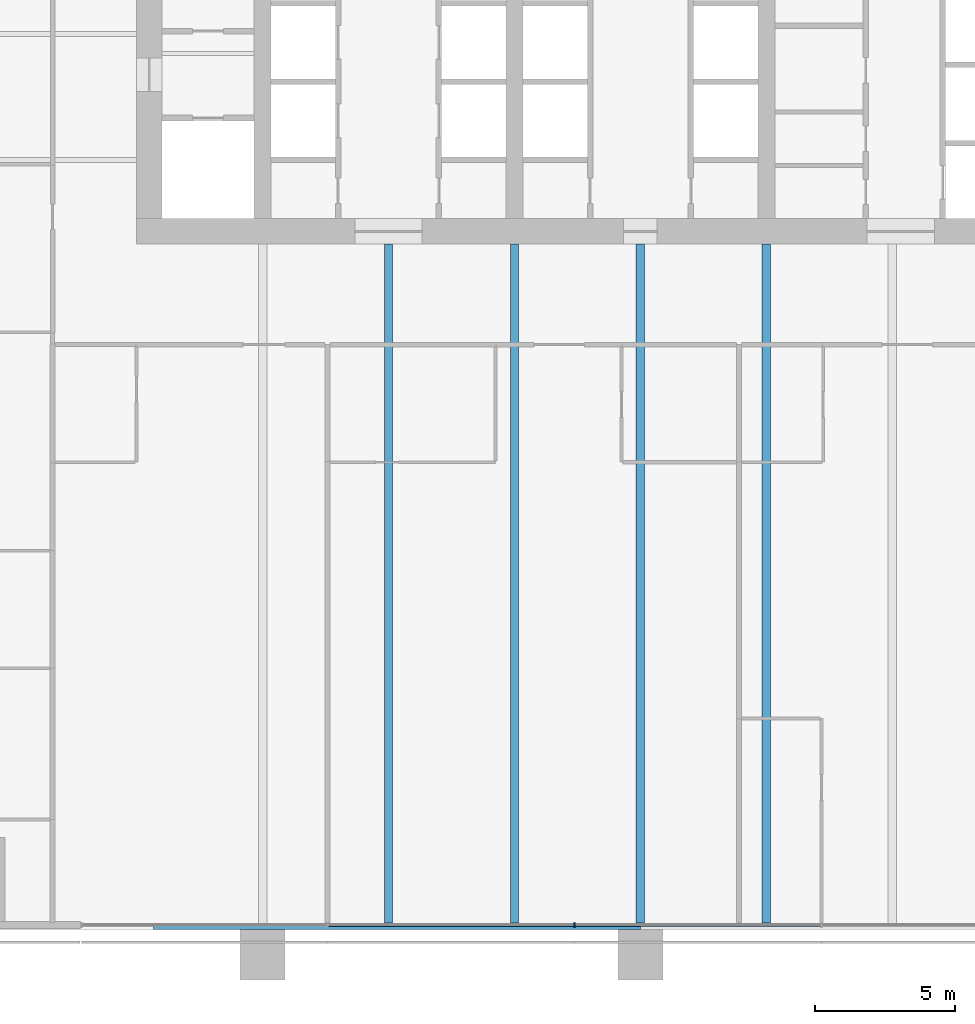
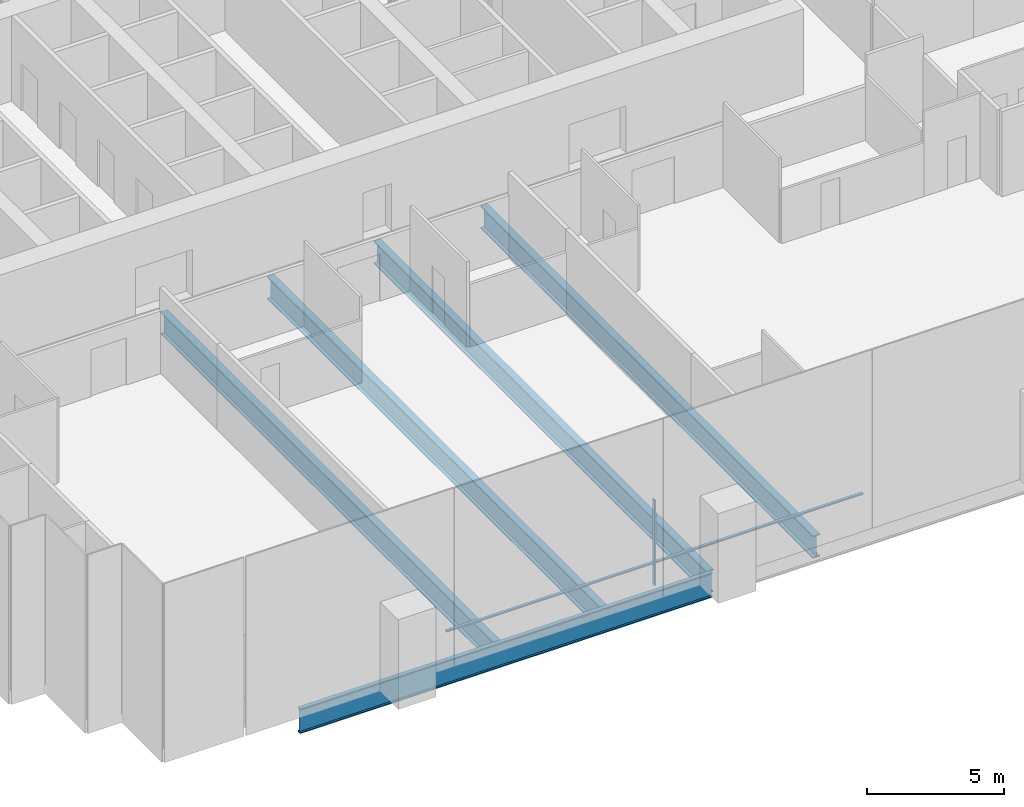
# One storey, part 3 of 19: 5 beams, 3 members, 1 element without a shape of its own.
"""IFC4 building model written with IfcOpenShell, lengths in metres."""

from ifc_helpers import new_model, si_unit, direction, frame, origin, origin_2d, place, context, subcontext, project, spatial, rectangle, i_section, extrude, material, material_profile, profile_set, type_object, element, aggregate, save


model = new_model("IFC4")

# Units and contexts
model_context = context("Model", 3, precision=1e-05, world=origin(), true_north=direction((0.0, 1.0)))
body_context = subcontext(model_context, "Body", "Model", "MODEL_VIEW")
ifc_project = project(units=[si_unit("LENGTHUNIT", "METRE"), si_unit("AREAUNIT", "SQUARE_METRE"), si_unit("VOLUMEUNIT", "CUBIC_METRE"), si_unit("PLANEANGLEUNIT", "RADIAN"), si_unit("MASSUNIT", "GRAM", prefix="KILO")], contexts=[model_context])

# Site, building, storey
site_placement = place(None, origin())
site = spatial("IfcSite", under=ifc_project, at=site_placement, CompositionType="ELEMENT")
building_placement = place(site_placement, origin())
building = spatial("IfcBuilding", under=site, at=building_placement, Name="Rattan Terrace Tower", CompositionType="ELEMENT")
storey_placement = place(building_placement, frame((0.0, 0.0, 79.699951171875)))
storey = spatial("IfcBuildingStorey", under=building, at=storey_placement, Name="L17", CompositionType="ELEMENT", Elevation=79.699951171875)

# Curtain wall, members
ifc_material_1 = material(Name="Aluminium and glass", Category="aluminium")
curtain_wall_type = type_object("IfcCurtainWallType", Name="Facade Unitised Curtain Wall", PredefinedType="NOTDEFINED", material=ifc_material_1)
curtain_wall_placement = place(storey_placement, origin())
curtain_wall = element("IfcCurtainWall", 1, at=curtain_wall_placement, inside=storey, type_object=curtain_wall_type, Name="Curtain wall L17-4", PredefinedType="NOTDEFINED")
ifc_material_2 = material(Name="Aluminium", Category="aluminium")
ifc_material_profile_1 = material_profile(ifc_material_2, rectangle(XDim=0.06005859375, YDim=0.159912109375, at=origin_2d()), Name="Aluminium 60x160")
ifc_profile_set_1 = profile_set([ifc_material_profile_1], Name="Aluminium")
member_type_1 = type_object("IfcMemberType", Name="Facade CW Mullion 60x160", PredefinedType="MULLION", material=ifc_profile_set_1)
member_1_placement = place(storey_placement, frame((-2.35400390625, -31.830078125, 0.0), z_axis=(0.0, 0.0, 1.0), x_axis=(1.0, 0.0, 0.0)))
member_1 = element("IfcMember", 2, at=member_1_placement, type_object=member_type_1, Name="Mullion cwl-L17-004.3", PredefinedType="MULLION", context=body_context, shape_type="SweptSolid", body=[
    extrude(rectangle(XDim=0.06005859375, YDim=0.159912109375, at=origin_2d()), origin(), (0.0, 0.0, 1.0), 3.800048828125),
])
ifc_material_3 = material(Name="Aluminium", Category="aluminium")
ifc_material_profile_2 = material_profile(ifc_material_3, rectangle(XDim=0.1201171875, YDim=0.06005859375, at=origin_2d()), Name="Aluminium 120x60")
ifc_profile_set_2 = profile_set([ifc_material_profile_2], Name="Aluminium")
member_type_2 = type_object("IfcMemberType", Name="Facade CW Transom 120x60", PredefinedType="USERDEFINED", material=ifc_profile_set_2)
member_2_placement = place(storey_placement, frame((-11.14697265625, -31.830078125, 1.0), z_axis=(1.0, 0.0, 0.0), x_axis=(0.0, 1.0, 0.0)))
member_2 = element("IfcMember", 3, at=member_2_placement, type_object=member_type_2, Name="Transom cwl-L17-004.2", ObjectType="TRANSOM", PredefinedType="USERDEFINED", context=body_context, shape_type="SweptSolid", body=[
    extrude(rectangle(XDim=0.1201171875, YDim=0.06005859375, at=origin_2d()), origin(), (0.0, 0.0, 1.0), 8.762939453125),
])
member_3_placement = place(storey_placement, frame((-2.323974609375, -31.830078125, 1.0), z_axis=(1.0, 0.0, 0.0), x_axis=(0.0, 1.0, 0.0)))
member_3 = element("IfcMember", 4, at=member_3_placement, type_object=member_type_2, Name="Transom cwl-L17-004.3", ObjectType="TRANSOM", PredefinedType="USERDEFINED", context=body_context, shape_type="SweptSolid", body=[
    extrude(rectangle(XDim=0.1201171875, YDim=0.06005859375, at=origin_2d()), origin(), (0.0, 0.0, 1.0), 8.762939453125),
])
aggregate(curtain_wall, [member_1, member_2, member_3])

# Beams
ifc_material_4 = material(Name="Steel S460", Category="steel")
ifc_material_profile_3 = material_profile(ifc_material_4, i_section(OverallWidth=0.179931640625, OverallDepth=1.10009765625, WebThickness=0.01611328125, FlangeThickness=0.050048828125, at=origin_2d()), Name="PG 1100x180-16-50")
ifc_profile_set_3 = profile_set([ifc_material_profile_3], Name="Steel S460")
beam_type_1 = type_object("IfcBeamType", Name="Frame edge girder PG 1100x180-16-50", PredefinedType="SPANDREL", material=ifc_profile_set_3)
beam_placement = place(storey_placement, frame((-17.39990234375, -31.909912109375, -0.75), z_axis=(1.0, 0.0, 0.0), x_axis=(0.0, 1.0, 0.0)))
element("IfcBeam", 5, at=beam_placement, inside=storey, type_object=beam_type_1, Name="gdr-L17-001", PredefinedType="SPANDREL", context=body_context, shape_type="SweptSolid", body=[
    extrude(i_section(OverallWidth=0.179931640625, OverallDepth=1.10009765625, WebThickness=0.01611328125, FlangeThickness=0.050048828125, at=origin_2d()), origin(), (0.0, 0.0, 1.0), 17.39990234375),
])
ifc_material_5 = material(Name="Steel S460", Category="steel")
ifc_material_profile_4 = material_profile(ifc_material_5, i_section(OverallWidth=0.300048828125, OverallDepth=1.0, WebThickness=0.013916015625, FlangeThickness=0.0400390625, at=origin_2d()), Name="PG 1000x300-14-40")
ifc_profile_set_4 = profile_set([ifc_material_profile_4], Name="Steel S460")
beam_type_2 = type_object("IfcBeamType", Name="Frame floor beam PG 1000x300-14-40", PredefinedType="JOIST", material=ifc_profile_set_4)
for number, where, z_axis, x_axis, name in (
    (6, (-9.0, -31.820068359375, -0.699951171875), (0.0, 1.0, 0.0), (-1.0, 0.0, 0.0), "bm-L17-004"),
    (7, (-4.5, -31.820068359375, -0.699951171875), (0.0, 1.0, 0.0), (-1.0, 0.0, 0.0), "bm-L17-005"),
    (8, (0.0, -31.820068359375, -0.699951171875), (0.0, 1.0, 0.0), (-1.0, 0.0, 0.0), "bm-L17-006"),
    (9, (4.5, -31.820068359375, -0.699951171875), (0.0, 1.0, 0.0), (-1.0, 0.0, 0.0), "bm-L17-007"),
):
    element("IfcBeam", number, at=place(storey_placement, frame(where, z_axis=z_axis, x_axis=x_axis)), inside=storey, type_object=beam_type_2, Name=name, PredefinedType="JOIST", context=body_context, shape_type="SweptSolid", body=[
        extrude(i_section(OverallWidth=0.300048828125, OverallDepth=1.0, WebThickness=0.013916015625, FlangeThickness=0.0400390625, at=origin_2d()), origin(), (0.0, 0.0, 1.0), 24.320068359375),
    ])

save(model, "model.ifc")
